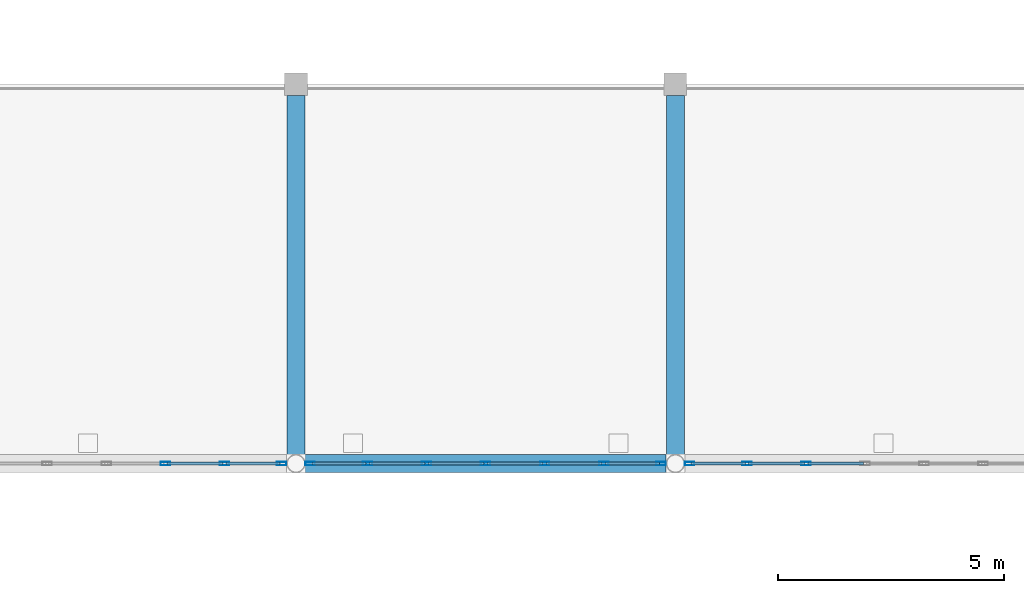
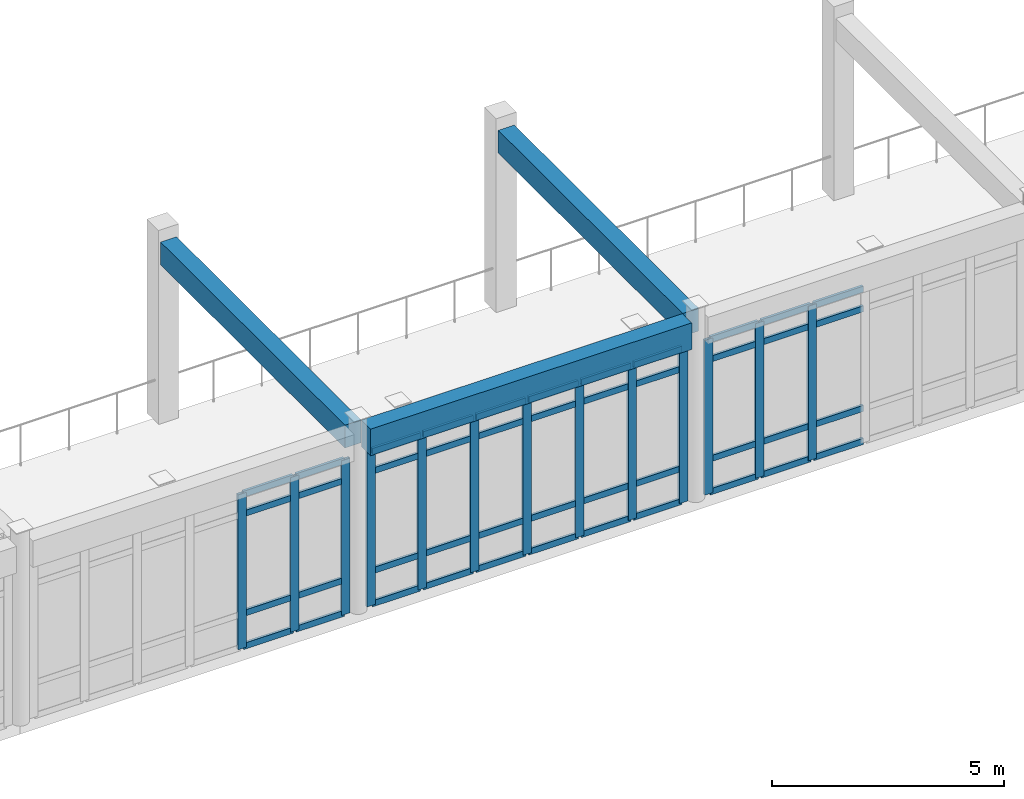
# One storey, part 20 of 134: 57 members, 3 beams, 3 elements without a shape of their own.
"""IFC4 building model written with IfcOpenShell, lengths in metres."""

import ifcopenshell
import ifcopenshell.guid

model = None  # the IFC model being written
_history = None  # IfcOwnerHistory: only IFC2X3 demands one
_inside = {}  # id of a spatial element -> (the spatial element, [elements in it])
_under = {}  # id of a project, library or spatial element -> (it, [spatial elements below it])
_declared = {}  # id of a project -> (the project, [libraries it declares])
_typed = {}  # id of a type object -> (the type object, [elements of that type])
_made_of = {}  # id of a material, layer set ... -> (it, [elements and type objects made of it])


def new_model(schema):
    """Start an empty IFC model of exactly this schema.

    Asked for "IFC4X3", IfcOpenShell would pick the latest addendum, in which some entities
    have other attributes; the version numbers below select the first issue.
    IFC2X3 requires an IfcOwnerHistory on every rooted entity: one is made here for all.
    """
    global model, _history
    if schema == "IFC4X3":
        model = ifcopenshell.file(schema_version=(4, 3, 0, 0))
    else:
        model = ifcopenshell.file(schema=schema)
    _inside.clear()
    _under.clear()
    _declared.clear()
    _typed.clear()
    _made_of.clear()
    _history = None
    if model.schema == "IFC2X3":
        org = make("IfcOrganization", Name="unknown")
        user = make(
            "IfcPersonAndOrganization",
            ThePerson=make("IfcPerson", FamilyName="unknown"),
            TheOrganization=org,
        )
        app = make(
            "IfcApplication",
            ApplicationDeveloper=org,
            Version="unknown",
            ApplicationFullName="unknown",
            ApplicationIdentifier="unknown",
        )
        _history = make(
            "IfcOwnerHistory",
            OwningUser=user,
            OwningApplication=app,
            ChangeAction="ADDED",
            CreationDate=0,
        )
    return model


def make(cls, **values):
    """One entity of the class cls with the attributes given. An attribute that is None is left unset."""
    return model.create_entity(
        cls, **{name: value for name, value in values.items() if value is not None}
    )


def rooted(cls, **values):
    """An entity with a GlobalId (a new one), such as an element, a storey or a relation."""
    return make(cls, GlobalId=ifcopenshell.guid.new(), OwnerHistory=_history, **values)


def si_unit(unit_type, name, prefix=None):
    """IfcSIUnit, for example si_unit("LENGTHUNIT", "METRE", prefix="MILLI")."""
    return make("IfcSIUnit", UnitType=unit_type, Prefix=prefix, Name=name)


def assignment(units):
    """IfcUnitAssignment: the units of a project."""
    return None if units is None else make("IfcUnitAssignment", Units=units)


def point(xyz):
    """IfcCartesianPoint."""
    return None if xyz is None else make("IfcCartesianPoint", Coordinates=xyz)


def direction(xyz):
    """IfcDirection."""
    return None if xyz is None else make("IfcDirection", DirectionRatios=xyz)


def frame(location, z_axis=None, x_axis=None):
    """IfcAxis2Placement3D, a coordinate frame: its origin and axes. An axis left out is left unset."""
    return make(
        "IfcAxis2Placement3D",
        Location=point(location),
        Axis=direction(z_axis),
        RefDirection=direction(x_axis),
    )


def frame_2d(location, x_axis=None):
    """IfcAxis2Placement2D, a coordinate frame in the plane: its origin and x axis."""
    return make(
        "IfcAxis2Placement2D", Location=point(location), RefDirection=direction(x_axis)
    )


def origin():
    """The frame at (0, 0, 0) with its axes left unset."""
    return frame((0.0, 0.0, 0.0))


def origin_2d():
    """The frame at (0, 0) in the plane with its x axis left unset."""
    return frame_2d((0.0, 0.0))


def place(relative_to, where):
    """IfcLocalPlacement: puts the frame where relative to a parent placement (None: the world)."""
    return make(
        "IfcLocalPlacement", PlacementRelTo=relative_to, RelativePlacement=where
    )


def context(
    kind, dimensions, precision=None, world=None, true_north=None, identifier=None
):
    """IfcGeometricRepresentationContext, for example the 3D "Model" context."""
    return make(
        "IfcGeometricRepresentationContext",
        ContextIdentifier=identifier,
        ContextType=kind,
        CoordinateSpaceDimension=dimensions,
        Precision=precision,
        WorldCoordinateSystem=world,
        TrueNorth=true_north,
    )


def subcontext(parent, identifier, kind, view, scale=None):
    """IfcGeometricRepresentationSubContext, for example "Body" below "Model"."""
    return make(
        "IfcGeometricRepresentationSubContext",
        ContextIdentifier=identifier,
        ContextType=kind,
        ParentContext=parent,
        TargetScale=scale,
        TargetView=view,
    )


def project(units=None, contexts=None):
    """IfcProject with its units and contexts."""
    return rooted(
        "IfcProject",
        Name="project",
        RepresentationContexts=contexts,
        UnitsInContext=assignment(units),
    )


def spatial(cls, under=None, at=None, **own):
    """A site, building, storey or space (cls), placed at a placement, below another one or the project."""
    s = rooted(cls, ObjectPlacement=at, **own)
    if under is not None:
        _under.setdefault(under.id(), (under, []))[1].append(s)
    return s


def profile(cls, at=None, kind="AREA", **sizes):
    """A parametric profile (cls). Its sizes go by their IFC names, for example OverallWidth=200.0."""
    return make(cls, ProfileType=kind, Position=at, **sizes)


def rectangle(**sizes):
    """IfcRectangleProfileDef."""
    return profile("IfcRectangleProfileDef", **sizes)


def hollow_rectangle(**sizes):
    """IfcRectangleHollowProfileDef."""
    return profile("IfcRectangleHollowProfileDef", **sizes)


def extrude(swept, where, along, depth):
    """IfcExtrudedAreaSolid: the profile swept, set in the frame where, extruded along a direction by depth."""
    return make(
        "IfcExtrudedAreaSolid",
        SweptArea=swept,
        Position=where,
        ExtrudedDirection=direction(along),
        Depth=depth,
    )


def shape(context_of_items, identifier, shape_type, items):
    """IfcShapeRepresentation: the items that make up one representation, for example the "Body"."""
    return make(
        "IfcShapeRepresentation",
        ContextOfItems=context_of_items,
        RepresentationIdentifier=identifier,
        RepresentationType=shape_type,
        Items=items,
    )


def material(Name=None, Category=None):
    """IfcMaterial."""
    return make("IfcMaterial", Name=Name, Category=Category)


def layer(
    of_material, thickness, ventilated=None, Name=None, Category=None, Priority=None
):
    """IfcMaterialLayer: one layer of a wall or slab, of a material (None: an air gap)."""
    return make(
        "IfcMaterialLayer",
        Material=of_material,
        LayerThickness=thickness,
        IsVentilated=ventilated,
        Name=Name,
        Category=Category,
        Priority=Priority,
    )


def layer_set(layers, Name=None):
    """IfcMaterialLayerSet."""
    return make("IfcMaterialLayerSet", MaterialLayers=layers, LayerSetName=Name)


def material_profile(
    of_material, cross_section, Name=None, Category=None, Priority=None
):
    """IfcMaterialProfile: a cross section and its material."""
    return make(
        "IfcMaterialProfile",
        Name=Name,
        Material=of_material,
        Profile=cross_section,
        Priority=Priority,
        Category=Category,
    )


def profile_set(profiles, Name=None, composite=None):
    """IfcMaterialProfileSet."""
    return make(
        "IfcMaterialProfileSet",
        Name=Name,
        MaterialProfiles=profiles,
        CompositeProfile=composite,
    )


def made_of(thing, what):
    """Note that an element or type object is made of a material, layer set ...; save() writes the relation."""
    if what is not None:
        _made_of.setdefault(what.id(), (what, []))[1].append(thing)
    return thing


def type_object(cls, material=None, **own):
    """A type object (cls), such as IfcWallType, which elements share."""
    return made_of(rooted(cls, **own), material)


def element(
    cls,
    number,
    at=None,
    inside=None,
    cuts=None,
    type_object=None,
    material=None,
    context=None,
    identifier="Body",
    shape_type=None,
    held_by="IfcProductDefinitionShape",
    body=None,
    shapes=None,
    **own,
):
    """One element of the class cls, such as IfcWall. Its Tag is "e" and its number.

    at: its placement. inside: the storey or other place that contains it. cuts: it is an
    opening in that element (IfcRelVoidsElement). A single representation is given by context,
    identifier, shape_type and body (its items); several are given by shapes. held_by: the class
    of the entity that holds the representations. save() writes the other relations.
    """
    e = rooted(cls, Tag="e%d" % number, ObjectPlacement=at, **own)
    if body is not None:
        shapes = [shape(context, identifier, shape_type, body)]
    if shapes is not None:
        e.Representation = make(held_by, Representations=shapes)
    if inside is not None:
        _inside.setdefault(inside.id(), (inside, []))[1].append(e)
    if cuts is not None:
        rooted(
            "IfcRelVoidsElement", RelatingBuildingElement=cuts, RelatedOpeningElement=e
        )
    if type_object is not None:
        _typed.setdefault(type_object.id(), (type_object, []))[1].append(e)
    return made_of(e, material)


def aggregate(whole, parts):
    """IfcRelAggregates: a whole, such as a stair, and the parts it consists of."""
    return rooted("IfcRelAggregates", RelatingObject=whole, RelatedObjects=parts)


def save(model, path):
    """Write the relations noted so far, then the file.

    IfcRelAggregates (storeys below a building ...), IfcRelContainedInSpatialStructure (elements
    in a storey), IfcRelDefinesByType, IfcRelAssociatesMaterial and IfcRelDeclares: one each for
    every whole, place, type object, material and project.
    """
    for whole, parts in _under.values():
        aggregate(whole, parts)
    for where, things in _inside.values():
        rooted(
            "IfcRelContainedInSpatialStructure",
            RelatedElements=things,
            RelatingStructure=where,
        )
    for kind, things in _typed.values():
        rooted("IfcRelDefinesByType", RelatedObjects=things, RelatingType=kind)
    for what, things in _made_of.values():
        rooted("IfcRelAssociatesMaterial", RelatedObjects=things, RelatingMaterial=what)
    for by, libraries in _declared.values():
        rooted("IfcRelDeclares", RelatingContext=by, RelatedDefinitions=libraries)
    model.write(path)


model = new_model("IFC4")

# Units and contexts
model_context = context("Model", 3, precision=1e-05, world=origin(), true_north=direction((0.0, 1.0)))
body_context = subcontext(model_context, "Body", "Model", "MODEL_VIEW")
ifc_project = project(units=[si_unit("LENGTHUNIT", "METRE"), si_unit("AREAUNIT", "SQUARE_METRE"), si_unit("VOLUMEUNIT", "CUBIC_METRE"), si_unit("PLANEANGLEUNIT", "RADIAN"), si_unit("MASSUNIT", "GRAM", prefix="KILO")], contexts=[model_context])

# Site, building, storey
site_placement = place(None, origin())
site = spatial("IfcSite", under=ifc_project, at=site_placement, CompositionType="ELEMENT")
building_placement = place(site_placement, origin())
building = spatial("IfcBuilding", under=site, at=building_placement, Name="Bramfleet General Hospital", CompositionType="ELEMENT")
storey_placement = place(building_placement, frame((0.0, 0.0, 9.300048828125)))
storey = spatial("IfcBuildingStorey", under=building, at=storey_placement, Name="L02", CompositionType="ELEMENT", Elevation=9.300048828125)

# Beams
ifc_material_1 = material(Name="Concrete C35/45", Category="concrete")
ifc_material_profile_1 = material_profile(ifc_material_1, rectangle(XDim=0.39990234375, YDim=0.60009765625, at=origin_2d()), Name="RC BM 600x400")
ifc_profile_set_1 = profile_set([ifc_material_profile_1], Name="Concrete C35/45")
beam_type_1 = type_object("IfcBeamType", Name="BM-RC600", PredefinedType="BEAM", material=ifc_profile_set_1)
for number, where, z_axis, x_axis, name in (
    (1, (67.199951171875, 17.003173828125, 4.47998046875), (0.0, 1.0, 0.0), (-1.0, 0.0, 0.0), "L02 Grid Beam Y 08-02"),
    (2, (75.60009765625, 17.003173828125, 4.47998046875), (0.0, 1.0, 0.0), (-1.0, 0.0, 0.0), "L02 Grid Beam Y 09-02"),
):
    element("IfcBeam", number, at=place(storey_placement, frame(where, z_axis=z_axis, x_axis=x_axis)), inside=storey, type_object=beam_type_1, Name=name, PredefinedType="BEAM", context=body_context, shape_type="SweptSolid", body=[
        extrude(rectangle(XDim=0.39990234375, YDim=0.60009765625, at=origin_2d()), origin(), (0.0, 0.0, 1.0), 7.94677734375),
    ])
ifc_material_profile_2 = material_profile(ifc_material_1, rectangle(XDim=0.39990234375, YDim=0.699951171875, at=origin_2d()), Name="RC SP 700x400")
ifc_profile_set_2 = profile_set([ifc_material_profile_2], Name="Concrete C35/45")
beam_type_2 = type_object("IfcBeamType", Name="BM-SP700", PredefinedType="SPANDREL", material=ifc_profile_set_2)
beam_placement = place(storey_placement, frame((67.4033203125, 16.800048828125, 4.429931640625), z_axis=(1.0, 0.0, 0.0), x_axis=(0.0, 1.0, 0.0)))
element("IfcBeam", 3, at=beam_placement, inside=storey, type_object=beam_type_2, Name="L02 Grid Beam X 08-02", PredefinedType="SPANDREL", context=body_context, shape_type="SweptSolid", body=[
    extrude(rectangle(XDim=0.39990234375, YDim=0.699951171875, at=origin_2d()), origin(), (0.0, 0.0, 1.0), 7.993408203125),
])

# Curtain wall, members
ifc_material_2 = material(Name="Anodised aluminium and low-E triple glazing", Category="aluminium")
ifc_layer_1 = layer(ifc_material_2, 0.179931640625, Name="CWT-CW-04")
ifc_layer_set_1 = layer_set([ifc_layer_1], Name="Anodised aluminium and low-E triple glazing")
curtain_wall_type_1 = type_object("IfcCurtainWallType", Name="CWT-CW-04", PredefinedType="USERDEFINED", material=ifc_layer_set_1)
curtain_wall_1_placement = place(storey_placement, origin())
curtain_wall_1 = element("IfcCurtainWall", 4, at=curtain_wall_1_placement, inside=storey, type_object=curtain_wall_type_1, Name="L02 Curtain Wall 130", ObjectType="Unitised curtain wall", PredefinedType="USERDEFINED")
ifc_material_3 = material(Name="Anodised aluminium EN AW-6060", Category="aluminium")
ifc_material_profile_3 = material_profile(ifc_material_3, hollow_rectangle(XDim=0.074951171875, YDim=0.2099609375, WallThickness=0.00439453125, at=origin_2d()), Name="ALU 210x75x4.5")
ifc_profile_set_3 = profile_set([ifc_material_profile_3], Name="Anodised aluminium EN AW-6060")
member_type_1 = type_object("IfcMemberType", Name="CWM-ALU210", PredefinedType="MULLION", material=ifc_profile_set_3)
member_1_placement = place(storey_placement, frame((78.49267578125, 16.800048828125, 0.0), z_axis=(0.0, 0.0, 1.0), x_axis=(0.0, -1.0, 0.0)))
member_1 = element("IfcMember", 5, at=member_1_placement, type_object=member_type_1, Name="CW-04 mullion 5", PredefinedType="MULLION", context=body_context, shape_type="SweptSolid", body=[
    extrude(hollow_rectangle(XDim=0.074951171875, YDim=0.2099609375, WallThickness=0.00439453125, at=origin_2d()), origin(), (0.0, 0.0, 1.0), 4.070068359375),
])
member_2_placement = place(storey_placement, frame((77.185302734375, 16.800048828125, 0.0), z_axis=(0.0, 0.0, 1.0), x_axis=(0.0, -1.0, 0.0)))
member_2 = element("IfcMember", 6, at=member_2_placement, type_object=member_type_1, Name="CW-04 mullion 6", PredefinedType="MULLION", context=body_context, shape_type="SweptSolid", body=[
    extrude(hollow_rectangle(XDim=0.074951171875, YDim=0.2099609375, WallThickness=0.00439453125, at=origin_2d()), origin(), (0.0, 0.0, 1.0), 4.070068359375),
])
member_3_placement = place(storey_placement, frame((75.91552734375, 16.800048828125, 0.0), z_axis=(0.0, 0.0, 1.0), x_axis=(0.0, -1.0, 0.0)))
member_3 = element("IfcMember", 7, at=member_3_placement, type_object=member_type_1, Name="CW-04 mullion 7", PredefinedType="MULLION", context=body_context, shape_type="SweptSolid", body=[
    extrude(hollow_rectangle(XDim=0.074951171875, YDim=0.2099609375, WallThickness=0.00439453125, at=origin_2d()), origin(), (0.0, 0.0, 1.0), 4.070068359375),
])

ifc_layer_2 = layer(ifc_material_2, 0.179931640625, Name="CWT-CW-05")
ifc_layer_set_2 = layer_set([ifc_layer_2], Name="Anodised aluminium and low-E triple glazing")
curtain_wall_type_2 = type_object("IfcCurtainWallType", Name="CWT-CW-05", PredefinedType="USERDEFINED", material=ifc_layer_set_2)
curtain_wall_2_placement = place(storey_placement, origin())
curtain_wall_2 = element("IfcCurtainWall", 8, at=curtain_wall_2_placement, inside=storey, type_object=curtain_wall_type_2, Name="L02 Curtain Wall 131", ObjectType="Unitised curtain wall", PredefinedType="USERDEFINED")
member_4_placement = place(storey_placement, frame((75.284423828125, 16.800048828125, 0.0), z_axis=(0.0, 0.0, 1.0), x_axis=(0.0, -1.0, 0.0)))
member_4 = element("IfcMember", 9, at=member_4_placement, type_object=member_type_1, Name="CW-05 mullion 1", PredefinedType="MULLION", context=body_context, shape_type="SweptSolid", body=[
    extrude(hollow_rectangle(XDim=0.074951171875, YDim=0.2099609375, WallThickness=0.00439453125, at=origin_2d()), origin(), (0.0, 0.0, 1.0), 4.070068359375),
])
member_5_placement = place(storey_placement, frame((74.0146484375, 16.800048828125, 0.0), z_axis=(0.0, 0.0, 1.0), x_axis=(0.0, -1.0, 0.0)))
member_5 = element("IfcMember", 10, at=member_5_placement, type_object=member_type_1, Name="CW-05 mullion 2", PredefinedType="MULLION", context=body_context, shape_type="SweptSolid", body=[
    extrude(hollow_rectangle(XDim=0.074951171875, YDim=0.2099609375, WallThickness=0.00439453125, at=origin_2d()), origin(), (0.0, 0.0, 1.0), 4.070068359375),
])
member_6_placement = place(storey_placement, frame((72.707275390625, 16.800048828125, 0.0), z_axis=(0.0, 0.0, 1.0), x_axis=(0.0, -1.0, 0.0)))
member_6 = element("IfcMember", 11, at=member_6_placement, type_object=member_type_1, Name="CW-05 mullion 3", PredefinedType="MULLION", context=body_context, shape_type="SweptSolid", body=[
    extrude(hollow_rectangle(XDim=0.074951171875, YDim=0.2099609375, WallThickness=0.00439453125, at=origin_2d()), origin(), (0.0, 0.0, 1.0), 4.070068359375),
])
member_7_placement = place(storey_placement, frame((71.39990234375, 16.800048828125, 0.0), z_axis=(0.0, 0.0, 1.0), x_axis=(0.0, -1.0, 0.0)))
member_7 = element("IfcMember", 12, at=member_7_placement, type_object=member_type_1, Name="CW-05 mullion 4", PredefinedType="MULLION", context=body_context, shape_type="SweptSolid", body=[
    extrude(hollow_rectangle(XDim=0.074951171875, YDim=0.2099609375, WallThickness=0.00439453125, at=origin_2d()), origin(), (0.0, 0.0, 1.0), 4.070068359375),
])
member_8_placement = place(storey_placement, frame((70.0927734375, 16.800048828125, 0.0), z_axis=(0.0, 0.0, 1.0), x_axis=(0.0, -1.0, 0.0)))
member_8 = element("IfcMember", 13, at=member_8_placement, type_object=member_type_1, Name="CW-05 mullion 5", PredefinedType="MULLION", context=body_context, shape_type="SweptSolid", body=[
    extrude(hollow_rectangle(XDim=0.074951171875, YDim=0.2099609375, WallThickness=0.00439453125, at=origin_2d()), origin(), (0.0, 0.0, 1.0), 4.070068359375),
])
member_9_placement = place(storey_placement, frame((68.785400390625, 16.800048828125, 0.0), z_axis=(0.0, 0.0, 1.0), x_axis=(0.0, -1.0, 0.0)))
member_9 = element("IfcMember", 14, at=member_9_placement, type_object=member_type_1, Name="CW-05 mullion 6", PredefinedType="MULLION", context=body_context, shape_type="SweptSolid", body=[
    extrude(hollow_rectangle(XDim=0.074951171875, YDim=0.2099609375, WallThickness=0.00439453125, at=origin_2d()), origin(), (0.0, 0.0, 1.0), 4.070068359375),
])
member_10_placement = place(storey_placement, frame((67.515380859375, 16.800048828125, 0.0), z_axis=(0.0, 0.0, 1.0), x_axis=(0.0, -1.0, 0.0)))
member_10 = element("IfcMember", 15, at=member_10_placement, type_object=member_type_1, Name="CW-05 mullion 7", PredefinedType="MULLION", context=body_context, shape_type="SweptSolid", body=[
    extrude(hollow_rectangle(XDim=0.074951171875, YDim=0.2099609375, WallThickness=0.00439453125, at=origin_2d()), origin(), (0.0, 0.0, 1.0), 4.070068359375),
])

ifc_layer_3 = layer(ifc_material_2, 0.179931640625, Name="CWT-CW-06")
ifc_layer_set_3 = layer_set([ifc_layer_3], Name="Anodised aluminium and low-E triple glazing")
curtain_wall_type_3 = type_object("IfcCurtainWallType", Name="CWT-CW-06", PredefinedType="USERDEFINED", material=ifc_layer_set_3)
curtain_wall_3_placement = place(storey_placement, origin())
curtain_wall_3 = element("IfcCurtainWall", 16, at=curtain_wall_3_placement, inside=storey, type_object=curtain_wall_type_3, Name="L02 Curtain Wall 132", ObjectType="Unitised curtain wall", PredefinedType="USERDEFINED")
member_11_placement = place(storey_placement, frame((66.884521484375, 16.800048828125, 0.0), z_axis=(0.0, 0.0, 1.0), x_axis=(0.0, -1.0, 0.0)))
member_11 = element("IfcMember", 17, at=member_11_placement, type_object=member_type_1, Name="CW-06 mullion 1", PredefinedType="MULLION", context=body_context, shape_type="SweptSolid", body=[
    extrude(hollow_rectangle(XDim=0.074951171875, YDim=0.2099609375, WallThickness=0.00439453125, at=origin_2d()), origin(), (0.0, 0.0, 1.0), 4.070068359375),
])
member_12_placement = place(storey_placement, frame((65.61474609375, 16.800048828125, 0.0), z_axis=(0.0, 0.0, 1.0), x_axis=(0.0, -1.0, 0.0)))
member_12 = element("IfcMember", 18, at=member_12_placement, type_object=member_type_1, Name="CW-06 mullion 2", PredefinedType="MULLION", context=body_context, shape_type="SweptSolid", body=[
    extrude(hollow_rectangle(XDim=0.074951171875, YDim=0.2099609375, WallThickness=0.00439453125, at=origin_2d()), origin(), (0.0, 0.0, 1.0), 4.070068359375),
])
member_13_placement = place(storey_placement, frame((64.307373046875, 16.800048828125, 0.0), z_axis=(0.0, 0.0, 1.0), x_axis=(0.0, -1.0, 0.0)))
member_13 = element("IfcMember", 19, at=member_13_placement, type_object=member_type_1, Name="CW-06 mullion 3", PredefinedType="MULLION", context=body_context, shape_type="SweptSolid", body=[
    extrude(hollow_rectangle(XDim=0.074951171875, YDim=0.2099609375, WallThickness=0.00439453125, at=origin_2d()), origin(), (0.0, 0.0, 1.0), 4.070068359375),
])

# Member
ifc_material_profile_4 = material_profile(ifc_material_3, hollow_rectangle(XDim=0.06494140625, YDim=0.159912109375, WallThickness=0.00390625, at=origin_2d()), Name="ALU 160x65x4.0")
ifc_profile_set_4 = profile_set([ifc_material_profile_4], Name="Anodised aluminium EN AW-6060")
member_type_2 = type_object("IfcMemberType", Name="CWT-ALU160", PredefinedType="USERDEFINED", material=ifc_profile_set_4)
member_14_placement = place(storey_placement, frame((79.762451171875, 16.800048828125, 0.032470703125), z_axis=(-1.0, 0.0, 0.0), x_axis=(0.0, -1.0, 0.0)))
member_14 = element("IfcMember", 20, at=member_14_placement, type_object=member_type_2, Name="CW-04 transom 4.1", ObjectType="TRANSOM", PredefinedType="USERDEFINED", context=body_context, shape_type="SweptSolid", body=[
    extrude(hollow_rectangle(XDim=0.06494140625, YDim=0.159912109375, WallThickness=0.00390625, at=origin_2d()), origin(), (0.0, 0.0, 1.0), 1.232177734375),
])

member_15_placement = place(storey_placement, frame((79.762451171875, 16.800048828125, 0.89990234375), z_axis=(-1.0, 0.0, 0.0), x_axis=(0.0, -1.0, 0.0)))
member_15 = element("IfcMember", 21, at=member_15_placement, type_object=member_type_2, Name="CW-04 transom 4.2", ObjectType="TRANSOM", PredefinedType="USERDEFINED", context=body_context, shape_type="SweptSolid", body=[
    extrude(hollow_rectangle(XDim=0.06494140625, YDim=0.159912109375, WallThickness=0.00390625, at=origin_2d()), origin(), (0.0, 0.0, 1.0), 1.232177734375),
])

member_16_placement = place(storey_placement, frame((79.762451171875, 16.800048828125, 3.52001953125), z_axis=(-1.0, 0.0, 0.0), x_axis=(0.0, -1.0, 0.0)))
member_16 = element("IfcMember", 22, at=member_16_placement, type_object=member_type_2, Name="CW-04 transom 4.3", ObjectType="TRANSOM", PredefinedType="USERDEFINED", context=body_context, shape_type="SweptSolid", body=[
    extrude(hollow_rectangle(XDim=0.06494140625, YDim=0.159912109375, WallThickness=0.00390625, at=origin_2d()), origin(), (0.0, 0.0, 1.0), 1.232177734375),
])

member_17_placement = place(storey_placement, frame((79.762451171875, 16.800048828125, 4.037353515625), z_axis=(-1.0, 0.0, 0.0), x_axis=(0.0, -1.0, 0.0)))
member_17 = element("IfcMember", 23, at=member_17_placement, type_object=member_type_2, Name="CW-04 transom 4.4", ObjectType="TRANSOM", PredefinedType="USERDEFINED", context=body_context, shape_type="SweptSolid", body=[
    extrude(hollow_rectangle(XDim=0.06494140625, YDim=0.159912109375, WallThickness=0.00390625, at=origin_2d()), origin(), (0.0, 0.0, 1.0), 1.232177734375),
])

member_18_placement = place(storey_placement, frame((78.455078125, 16.800048828125, 0.032470703125), z_axis=(-1.0, 0.0, 0.0), x_axis=(0.0, -1.0, 0.0)))
member_18 = element("IfcMember", 24, at=member_18_placement, type_object=member_type_2, Name="CW-04 transom 5.1", ObjectType="TRANSOM", PredefinedType="USERDEFINED", context=body_context, shape_type="SweptSolid", body=[
    extrude(hollow_rectangle(XDim=0.06494140625, YDim=0.159912109375, WallThickness=0.00390625, at=origin_2d()), origin(), (0.0, 0.0, 1.0), 1.232177734375),
])

member_19_placement = place(storey_placement, frame((78.455078125, 16.800048828125, 0.89990234375), z_axis=(-1.0, 0.0, 0.0), x_axis=(0.0, -1.0, 0.0)))
member_19 = element("IfcMember", 25, at=member_19_placement, type_object=member_type_2, Name="CW-04 transom 5.2", ObjectType="TRANSOM", PredefinedType="USERDEFINED", context=body_context, shape_type="SweptSolid", body=[
    extrude(hollow_rectangle(XDim=0.06494140625, YDim=0.159912109375, WallThickness=0.00390625, at=origin_2d()), origin(), (0.0, 0.0, 1.0), 1.232177734375),
])

member_20_placement = place(storey_placement, frame((78.455078125, 16.800048828125, 3.52001953125), z_axis=(-1.0, 0.0, 0.0), x_axis=(0.0, -1.0, 0.0)))
member_20 = element("IfcMember", 26, at=member_20_placement, type_object=member_type_2, Name="CW-04 transom 5.3", ObjectType="TRANSOM", PredefinedType="USERDEFINED", context=body_context, shape_type="SweptSolid", body=[
    extrude(hollow_rectangle(XDim=0.06494140625, YDim=0.159912109375, WallThickness=0.00390625, at=origin_2d()), origin(), (0.0, 0.0, 1.0), 1.232177734375),
])

member_21_placement = place(storey_placement, frame((78.455078125, 16.800048828125, 4.037353515625), z_axis=(-1.0, 0.0, 0.0), x_axis=(0.0, -1.0, 0.0)))
member_21 = element("IfcMember", 27, at=member_21_placement, type_object=member_type_2, Name="CW-04 transom 5.4", ObjectType="TRANSOM", PredefinedType="USERDEFINED", context=body_context, shape_type="SweptSolid", body=[
    extrude(hollow_rectangle(XDim=0.06494140625, YDim=0.159912109375, WallThickness=0.00390625, at=origin_2d()), origin(), (0.0, 0.0, 1.0), 1.232177734375),
])

member_22_placement = place(storey_placement, frame((77.14794921875, 16.800048828125, 0.032470703125), z_axis=(-1.0, 0.0, 0.0), x_axis=(0.0, -1.0, 0.0)))
member_22 = element("IfcMember", 28, at=member_22_placement, type_object=member_type_2, Name="CW-04 transom 6.1", ObjectType="TRANSOM", PredefinedType="USERDEFINED", context=body_context, shape_type="SweptSolid", body=[
    extrude(hollow_rectangle(XDim=0.06494140625, YDim=0.159912109375, WallThickness=0.00390625, at=origin_2d()), origin(), (0.0, 0.0, 1.0), 1.195068359375),
])

member_23_placement = place(storey_placement, frame((77.14794921875, 16.800048828125, 0.89990234375), z_axis=(-1.0, 0.0, 0.0), x_axis=(0.0, -1.0, 0.0)))
member_23 = element("IfcMember", 29, at=member_23_placement, type_object=member_type_2, Name="CW-04 transom 6.2", ObjectType="TRANSOM", PredefinedType="USERDEFINED", context=body_context, shape_type="SweptSolid", body=[
    extrude(hollow_rectangle(XDim=0.06494140625, YDim=0.159912109375, WallThickness=0.00390625, at=origin_2d()), origin(), (0.0, 0.0, 1.0), 1.195068359375),
])

member_24_placement = place(storey_placement, frame((77.14794921875, 16.800048828125, 3.52001953125), z_axis=(-1.0, 0.0, 0.0), x_axis=(0.0, -1.0, 0.0)))
member_24 = element("IfcMember", 30, at=member_24_placement, type_object=member_type_2, Name="CW-04 transom 6.3", ObjectType="TRANSOM", PredefinedType="USERDEFINED", context=body_context, shape_type="SweptSolid", body=[
    extrude(hollow_rectangle(XDim=0.06494140625, YDim=0.159912109375, WallThickness=0.00390625, at=origin_2d()), origin(), (0.0, 0.0, 1.0), 1.195068359375),
])

member_25_placement = place(storey_placement, frame((77.14794921875, 16.800048828125, 4.037353515625), z_axis=(-1.0, 0.0, 0.0), x_axis=(0.0, -1.0, 0.0)))
member_25 = element("IfcMember", 31, at=member_25_placement, type_object=member_type_2, Name="CW-04 transom 6.4", ObjectType="TRANSOM", PredefinedType="USERDEFINED", context=body_context, shape_type="SweptSolid", body=[
    extrude(hollow_rectangle(XDim=0.06494140625, YDim=0.159912109375, WallThickness=0.00390625, at=origin_2d()), origin(), (0.0, 0.0, 1.0), 1.195068359375),
])

aggregate(curtain_wall_1, [member_1, member_2, member_3, member_14, member_15, member_16, member_17, member_18, member_19, member_20, member_21, member_22, member_23, member_24, member_25])

member_26_placement = place(storey_placement, frame((75.2470703125, 16.800048828125, 0.032470703125), z_axis=(-1.0, 0.0, 0.0), x_axis=(0.0, -1.0, 0.0)))
member_26 = element("IfcMember", 32, at=member_26_placement, type_object=member_type_2, Name="CW-05 transom 1.1", ObjectType="TRANSOM", PredefinedType="USERDEFINED", context=body_context, shape_type="SweptSolid", body=[
    extrude(hollow_rectangle(XDim=0.06494140625, YDim=0.159912109375, WallThickness=0.00390625, at=origin_2d()), origin(), (0.0, 0.0, 1.0), 1.19482421875),
])

member_27_placement = place(storey_placement, frame((75.2470703125, 16.800048828125, 0.89990234375), z_axis=(-1.0, 0.0, 0.0), x_axis=(0.0, -1.0, 0.0)))
member_27 = element("IfcMember", 33, at=member_27_placement, type_object=member_type_2, Name="CW-05 transom 1.2", ObjectType="TRANSOM", PredefinedType="USERDEFINED", context=body_context, shape_type="SweptSolid", body=[
    extrude(hollow_rectangle(XDim=0.06494140625, YDim=0.159912109375, WallThickness=0.00390625, at=origin_2d()), origin(), (0.0, 0.0, 1.0), 1.19482421875),
])

member_28_placement = place(storey_placement, frame((75.2470703125, 16.800048828125, 3.52001953125), z_axis=(-1.0, 0.0, 0.0), x_axis=(0.0, -1.0, 0.0)))
member_28 = element("IfcMember", 34, at=member_28_placement, type_object=member_type_2, Name="CW-05 transom 1.3", ObjectType="TRANSOM", PredefinedType="USERDEFINED", context=body_context, shape_type="SweptSolid", body=[
    extrude(hollow_rectangle(XDim=0.06494140625, YDim=0.159912109375, WallThickness=0.00390625, at=origin_2d()), origin(), (0.0, 0.0, 1.0), 1.19482421875),
])

member_29_placement = place(storey_placement, frame((75.2470703125, 16.800048828125, 4.037353515625), z_axis=(-1.0, 0.0, 0.0), x_axis=(0.0, -1.0, 0.0)))
member_29 = element("IfcMember", 35, at=member_29_placement, type_object=member_type_2, Name="CW-05 transom 1.4", ObjectType="TRANSOM", PredefinedType="USERDEFINED", context=body_context, shape_type="SweptSolid", body=[
    extrude(hollow_rectangle(XDim=0.06494140625, YDim=0.159912109375, WallThickness=0.00390625, at=origin_2d()), origin(), (0.0, 0.0, 1.0), 1.19482421875),
])

member_30_placement = place(storey_placement, frame((73.97705078125, 16.800048828125, 0.032470703125), z_axis=(-1.0, 0.0, 0.0), x_axis=(0.0, -1.0, 0.0)))
member_30 = element("IfcMember", 36, at=member_30_placement, type_object=member_type_2, Name="CW-05 transom 2.1", ObjectType="TRANSOM", PredefinedType="USERDEFINED", context=body_context, shape_type="SweptSolid", body=[
    extrude(hollow_rectangle(XDim=0.06494140625, YDim=0.159912109375, WallThickness=0.00390625, at=origin_2d()), origin(), (0.0, 0.0, 1.0), 1.232177734375),
])

member_31_placement = place(storey_placement, frame((73.97705078125, 16.800048828125, 0.89990234375), z_axis=(-1.0, 0.0, 0.0), x_axis=(0.0, -1.0, 0.0)))
member_31 = element("IfcMember", 37, at=member_31_placement, type_object=member_type_2, Name="CW-05 transom 2.2", ObjectType="TRANSOM", PredefinedType="USERDEFINED", context=body_context, shape_type="SweptSolid", body=[
    extrude(hollow_rectangle(XDim=0.06494140625, YDim=0.159912109375, WallThickness=0.00390625, at=origin_2d()), origin(), (0.0, 0.0, 1.0), 1.232177734375),
])

member_32_placement = place(storey_placement, frame((73.97705078125, 16.800048828125, 3.52001953125), z_axis=(-1.0, 0.0, 0.0), x_axis=(0.0, -1.0, 0.0)))
member_32 = element("IfcMember", 38, at=member_32_placement, type_object=member_type_2, Name="CW-05 transom 2.3", ObjectType="TRANSOM", PredefinedType="USERDEFINED", context=body_context, shape_type="SweptSolid", body=[
    extrude(hollow_rectangle(XDim=0.06494140625, YDim=0.159912109375, WallThickness=0.00390625, at=origin_2d()), origin(), (0.0, 0.0, 1.0), 1.232177734375),
])

member_33_placement = place(storey_placement, frame((73.97705078125, 16.800048828125, 4.037353515625), z_axis=(-1.0, 0.0, 0.0), x_axis=(0.0, -1.0, 0.0)))
member_33 = element("IfcMember", 39, at=member_33_placement, type_object=member_type_2, Name="CW-05 transom 2.4", ObjectType="TRANSOM", PredefinedType="USERDEFINED", context=body_context, shape_type="SweptSolid", body=[
    extrude(hollow_rectangle(XDim=0.06494140625, YDim=0.159912109375, WallThickness=0.00390625, at=origin_2d()), origin(), (0.0, 0.0, 1.0), 1.232177734375),
])

member_34_placement = place(storey_placement, frame((72.669921875, 16.800048828125, 0.032470703125), z_axis=(-1.0, 0.0, 0.0), x_axis=(0.0, -1.0, 0.0)))
member_34 = element("IfcMember", 40, at=member_34_placement, type_object=member_type_2, Name="CW-05 transom 3.1", ObjectType="TRANSOM", PredefinedType="USERDEFINED", context=body_context, shape_type="SweptSolid", body=[
    extrude(hollow_rectangle(XDim=0.06494140625, YDim=0.159912109375, WallThickness=0.00390625, at=origin_2d()), origin(), (0.0, 0.0, 1.0), 1.232421875),
])

member_35_placement = place(storey_placement, frame((72.669921875, 16.800048828125, 0.89990234375), z_axis=(-1.0, 0.0, 0.0), x_axis=(0.0, -1.0, 0.0)))
member_35 = element("IfcMember", 41, at=member_35_placement, type_object=member_type_2, Name="CW-05 transom 3.2", ObjectType="TRANSOM", PredefinedType="USERDEFINED", context=body_context, shape_type="SweptSolid", body=[
    extrude(hollow_rectangle(XDim=0.06494140625, YDim=0.159912109375, WallThickness=0.00390625, at=origin_2d()), origin(), (0.0, 0.0, 1.0), 1.232421875),
])

member_36_placement = place(storey_placement, frame((72.669921875, 16.800048828125, 3.52001953125), z_axis=(-1.0, 0.0, 0.0), x_axis=(0.0, -1.0, 0.0)))
member_36 = element("IfcMember", 42, at=member_36_placement, type_object=member_type_2, Name="CW-05 transom 3.3", ObjectType="TRANSOM", PredefinedType="USERDEFINED", context=body_context, shape_type="SweptSolid", body=[
    extrude(hollow_rectangle(XDim=0.06494140625, YDim=0.159912109375, WallThickness=0.00390625, at=origin_2d()), origin(), (0.0, 0.0, 1.0), 1.232421875),
])

member_37_placement = place(storey_placement, frame((72.669921875, 16.800048828125, 4.037353515625), z_axis=(-1.0, 0.0, 0.0), x_axis=(0.0, -1.0, 0.0)))
member_37 = element("IfcMember", 43, at=member_37_placement, type_object=member_type_2, Name="CW-05 transom 3.4", ObjectType="TRANSOM", PredefinedType="USERDEFINED", context=body_context, shape_type="SweptSolid", body=[
    extrude(hollow_rectangle(XDim=0.06494140625, YDim=0.159912109375, WallThickness=0.00390625, at=origin_2d()), origin(), (0.0, 0.0, 1.0), 1.232421875),
])

member_38_placement = place(storey_placement, frame((71.362548828125, 16.800048828125, 0.032470703125), z_axis=(-1.0, 0.0, 0.0), x_axis=(0.0, -1.0, 0.0)))
member_38 = element("IfcMember", 44, at=member_38_placement, type_object=member_type_2, Name="CW-05 transom 4.1", ObjectType="TRANSOM", PredefinedType="USERDEFINED", context=body_context, shape_type="SweptSolid", body=[
    extrude(hollow_rectangle(XDim=0.06494140625, YDim=0.159912109375, WallThickness=0.00390625, at=origin_2d()), origin(), (0.0, 0.0, 1.0), 1.232421875),
])

member_39_placement = place(storey_placement, frame((71.362548828125, 16.800048828125, 0.89990234375), z_axis=(-1.0, 0.0, 0.0), x_axis=(0.0, -1.0, 0.0)))
member_39 = element("IfcMember", 45, at=member_39_placement, type_object=member_type_2, Name="CW-05 transom 4.2", ObjectType="TRANSOM", PredefinedType="USERDEFINED", context=body_context, shape_type="SweptSolid", body=[
    extrude(hollow_rectangle(XDim=0.06494140625, YDim=0.159912109375, WallThickness=0.00390625, at=origin_2d()), origin(), (0.0, 0.0, 1.0), 1.232421875),
])

member_40_placement = place(storey_placement, frame((71.362548828125, 16.800048828125, 3.52001953125), z_axis=(-1.0, 0.0, 0.0), x_axis=(0.0, -1.0, 0.0)))
member_40 = element("IfcMember", 46, at=member_40_placement, type_object=member_type_2, Name="CW-05 transom 4.3", ObjectType="TRANSOM", PredefinedType="USERDEFINED", context=body_context, shape_type="SweptSolid", body=[
    extrude(hollow_rectangle(XDim=0.06494140625, YDim=0.159912109375, WallThickness=0.00390625, at=origin_2d()), origin(), (0.0, 0.0, 1.0), 1.232421875),
])

member_41_placement = place(storey_placement, frame((71.362548828125, 16.800048828125, 4.037353515625), z_axis=(-1.0, 0.0, 0.0), x_axis=(0.0, -1.0, 0.0)))
member_41 = element("IfcMember", 47, at=member_41_placement, type_object=member_type_2, Name="CW-05 transom 4.4", ObjectType="TRANSOM", PredefinedType="USERDEFINED", context=body_context, shape_type="SweptSolid", body=[
    extrude(hollow_rectangle(XDim=0.06494140625, YDim=0.159912109375, WallThickness=0.00390625, at=origin_2d()), origin(), (0.0, 0.0, 1.0), 1.232421875),
])

member_42_placement = place(storey_placement, frame((70.05517578125, 16.800048828125, 0.032470703125), z_axis=(-1.0, 0.0, 0.0), x_axis=(0.0, -1.0, 0.0)))
member_42 = element("IfcMember", 48, at=member_42_placement, type_object=member_type_2, Name="CW-05 transom 5.1", ObjectType="TRANSOM", PredefinedType="USERDEFINED", context=body_context, shape_type="SweptSolid", body=[
    extrude(hollow_rectangle(XDim=0.06494140625, YDim=0.159912109375, WallThickness=0.00390625, at=origin_2d()), origin(), (0.0, 0.0, 1.0), 1.232421875),
])

member_43_placement = place(storey_placement, frame((70.05517578125, 16.800048828125, 0.89990234375), z_axis=(-1.0, 0.0, 0.0), x_axis=(0.0, -1.0, 0.0)))
member_43 = element("IfcMember", 49, at=member_43_placement, type_object=member_type_2, Name="CW-05 transom 5.2", ObjectType="TRANSOM", PredefinedType="USERDEFINED", context=body_context, shape_type="SweptSolid", body=[
    extrude(hollow_rectangle(XDim=0.06494140625, YDim=0.159912109375, WallThickness=0.00390625, at=origin_2d()), origin(), (0.0, 0.0, 1.0), 1.232421875),
])

member_44_placement = place(storey_placement, frame((70.05517578125, 16.800048828125, 3.52001953125), z_axis=(-1.0, 0.0, 0.0), x_axis=(0.0, -1.0, 0.0)))
member_44 = element("IfcMember", 50, at=member_44_placement, type_object=member_type_2, Name="CW-05 transom 5.3", ObjectType="TRANSOM", PredefinedType="USERDEFINED", context=body_context, shape_type="SweptSolid", body=[
    extrude(hollow_rectangle(XDim=0.06494140625, YDim=0.159912109375, WallThickness=0.00390625, at=origin_2d()), origin(), (0.0, 0.0, 1.0), 1.232421875),
])

member_45_placement = place(storey_placement, frame((70.05517578125, 16.800048828125, 4.037353515625), z_axis=(-1.0, 0.0, 0.0), x_axis=(0.0, -1.0, 0.0)))
member_45 = element("IfcMember", 51, at=member_45_placement, type_object=member_type_2, Name="CW-05 transom 5.4", ObjectType="TRANSOM", PredefinedType="USERDEFINED", context=body_context, shape_type="SweptSolid", body=[
    extrude(hollow_rectangle(XDim=0.06494140625, YDim=0.159912109375, WallThickness=0.00390625, at=origin_2d()), origin(), (0.0, 0.0, 1.0), 1.232421875),
])

member_46_placement = place(storey_placement, frame((68.747802734375, 16.800048828125, 0.032470703125), z_axis=(-1.0, 0.0, 0.0), x_axis=(0.0, -1.0, 0.0)))
member_46 = element("IfcMember", 52, at=member_46_placement, type_object=member_type_2, Name="CW-05 transom 6.1", ObjectType="TRANSOM", PredefinedType="USERDEFINED", context=body_context, shape_type="SweptSolid", body=[
    extrude(hollow_rectangle(XDim=0.06494140625, YDim=0.159912109375, WallThickness=0.00390625, at=origin_2d()), origin(), (0.0, 0.0, 1.0), 1.19482421875),
])

member_47_placement = place(storey_placement, frame((68.747802734375, 16.800048828125, 0.89990234375), z_axis=(-1.0, 0.0, 0.0), x_axis=(0.0, -1.0, 0.0)))
member_47 = element("IfcMember", 53, at=member_47_placement, type_object=member_type_2, Name="CW-05 transom 6.2", ObjectType="TRANSOM", PredefinedType="USERDEFINED", context=body_context, shape_type="SweptSolid", body=[
    extrude(hollow_rectangle(XDim=0.06494140625, YDim=0.159912109375, WallThickness=0.00390625, at=origin_2d()), origin(), (0.0, 0.0, 1.0), 1.19482421875),
])

member_48_placement = place(storey_placement, frame((68.747802734375, 16.800048828125, 3.52001953125), z_axis=(-1.0, 0.0, 0.0), x_axis=(0.0, -1.0, 0.0)))
member_48 = element("IfcMember", 54, at=member_48_placement, type_object=member_type_2, Name="CW-05 transom 6.3", ObjectType="TRANSOM", PredefinedType="USERDEFINED", context=body_context, shape_type="SweptSolid", body=[
    extrude(hollow_rectangle(XDim=0.06494140625, YDim=0.159912109375, WallThickness=0.00390625, at=origin_2d()), origin(), (0.0, 0.0, 1.0), 1.19482421875),
])

member_49_placement = place(storey_placement, frame((68.747802734375, 16.800048828125, 4.037353515625), z_axis=(-1.0, 0.0, 0.0), x_axis=(0.0, -1.0, 0.0)))
member_49 = element("IfcMember", 55, at=member_49_placement, type_object=member_type_2, Name="CW-05 transom 6.4", ObjectType="TRANSOM", PredefinedType="USERDEFINED", context=body_context, shape_type="SweptSolid", body=[
    extrude(hollow_rectangle(XDim=0.06494140625, YDim=0.159912109375, WallThickness=0.00390625, at=origin_2d()), origin(), (0.0, 0.0, 1.0), 1.19482421875),
])

aggregate(curtain_wall_2, [member_4, member_5, member_6, member_7, member_8, member_9, member_10, member_26, member_27, member_28, member_29, member_30, member_31, member_32, member_33, member_34, member_35, member_36, member_37, member_38, member_39, member_40, member_41, member_42, member_43, member_44, member_45, member_46, member_47, member_48, member_49])

member_50_placement = place(storey_placement, frame((66.846923828125, 16.800048828125, 0.032470703125), z_axis=(-1.0, 0.0, 0.0), x_axis=(0.0, -1.0, 0.0)))
member_50 = element("IfcMember", 56, at=member_50_placement, type_object=member_type_2, Name="CW-06 transom 1.1", ObjectType="TRANSOM", PredefinedType="USERDEFINED", context=body_context, shape_type="SweptSolid", body=[
    extrude(hollow_rectangle(XDim=0.06494140625, YDim=0.159912109375, WallThickness=0.00390625, at=origin_2d()), origin(), (0.0, 0.0, 1.0), 1.19482421875),
])

member_51_placement = place(storey_placement, frame((66.846923828125, 16.800048828125, 0.89990234375), z_axis=(-1.0, 0.0, 0.0), x_axis=(0.0, -1.0, 0.0)))
member_51 = element("IfcMember", 57, at=member_51_placement, type_object=member_type_2, Name="CW-06 transom 1.2", ObjectType="TRANSOM", PredefinedType="USERDEFINED", context=body_context, shape_type="SweptSolid", body=[
    extrude(hollow_rectangle(XDim=0.06494140625, YDim=0.159912109375, WallThickness=0.00390625, at=origin_2d()), origin(), (0.0, 0.0, 1.0), 1.19482421875),
])

member_52_placement = place(storey_placement, frame((66.846923828125, 16.800048828125, 3.52001953125), z_axis=(-1.0, 0.0, 0.0), x_axis=(0.0, -1.0, 0.0)))
member_52 = element("IfcMember", 58, at=member_52_placement, type_object=member_type_2, Name="CW-06 transom 1.3", ObjectType="TRANSOM", PredefinedType="USERDEFINED", context=body_context, shape_type="SweptSolid", body=[
    extrude(hollow_rectangle(XDim=0.06494140625, YDim=0.159912109375, WallThickness=0.00390625, at=origin_2d()), origin(), (0.0, 0.0, 1.0), 1.19482421875),
])

member_53_placement = place(storey_placement, frame((66.846923828125, 16.800048828125, 4.037353515625), z_axis=(-1.0, 0.0, 0.0), x_axis=(0.0, -1.0, 0.0)))
member_53 = element("IfcMember", 59, at=member_53_placement, type_object=member_type_2, Name="CW-06 transom 1.4", ObjectType="TRANSOM", PredefinedType="USERDEFINED", context=body_context, shape_type="SweptSolid", body=[
    extrude(hollow_rectangle(XDim=0.06494140625, YDim=0.159912109375, WallThickness=0.00390625, at=origin_2d()), origin(), (0.0, 0.0, 1.0), 1.19482421875),
])

member_54_placement = place(storey_placement, frame((65.5771484375, 16.800048828125, 0.032470703125), z_axis=(-1.0, 0.0, 0.0), x_axis=(0.0, -1.0, 0.0)))
member_54 = element("IfcMember", 60, at=member_54_placement, type_object=member_type_2, Name="CW-06 transom 2.1", ObjectType="TRANSOM", PredefinedType="USERDEFINED", context=body_context, shape_type="SweptSolid", body=[
    extrude(hollow_rectangle(XDim=0.06494140625, YDim=0.159912109375, WallThickness=0.00390625, at=origin_2d()), origin(), (0.0, 0.0, 1.0), 1.232421875),
])

member_55_placement = place(storey_placement, frame((65.5771484375, 16.800048828125, 0.89990234375), z_axis=(-1.0, 0.0, 0.0), x_axis=(0.0, -1.0, 0.0)))
member_55 = element("IfcMember", 61, at=member_55_placement, type_object=member_type_2, Name="CW-06 transom 2.2", ObjectType="TRANSOM", PredefinedType="USERDEFINED", context=body_context, shape_type="SweptSolid", body=[
    extrude(hollow_rectangle(XDim=0.06494140625, YDim=0.159912109375, WallThickness=0.00390625, at=origin_2d()), origin(), (0.0, 0.0, 1.0), 1.232421875),
])

member_56_placement = place(storey_placement, frame((65.5771484375, 16.800048828125, 3.52001953125), z_axis=(-1.0, 0.0, 0.0), x_axis=(0.0, -1.0, 0.0)))
member_56 = element("IfcMember", 62, at=member_56_placement, type_object=member_type_2, Name="CW-06 transom 2.3", ObjectType="TRANSOM", PredefinedType="USERDEFINED", context=body_context, shape_type="SweptSolid", body=[
    extrude(hollow_rectangle(XDim=0.06494140625, YDim=0.159912109375, WallThickness=0.00390625, at=origin_2d()), origin(), (0.0, 0.0, 1.0), 1.232421875),
])

member_57_placement = place(storey_placement, frame((65.5771484375, 16.800048828125, 4.037353515625), z_axis=(-1.0, 0.0, 0.0), x_axis=(0.0, -1.0, 0.0)))
member_57 = element("IfcMember", 63, at=member_57_placement, type_object=member_type_2, Name="CW-06 transom 2.4", ObjectType="TRANSOM", PredefinedType="USERDEFINED", context=body_context, shape_type="SweptSolid", body=[
    extrude(hollow_rectangle(XDim=0.06494140625, YDim=0.159912109375, WallThickness=0.00390625, at=origin_2d()), origin(), (0.0, 0.0, 1.0), 1.232421875),
])

aggregate(curtain_wall_3, [member_11, member_12, member_13, member_50, member_51, member_52, member_53, member_54, member_55, member_56, member_57])

save(model, "model.ifc")
